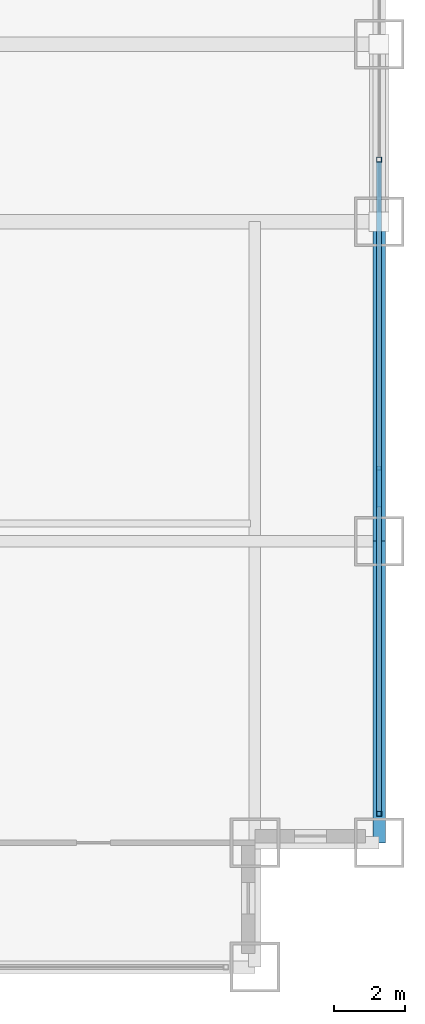
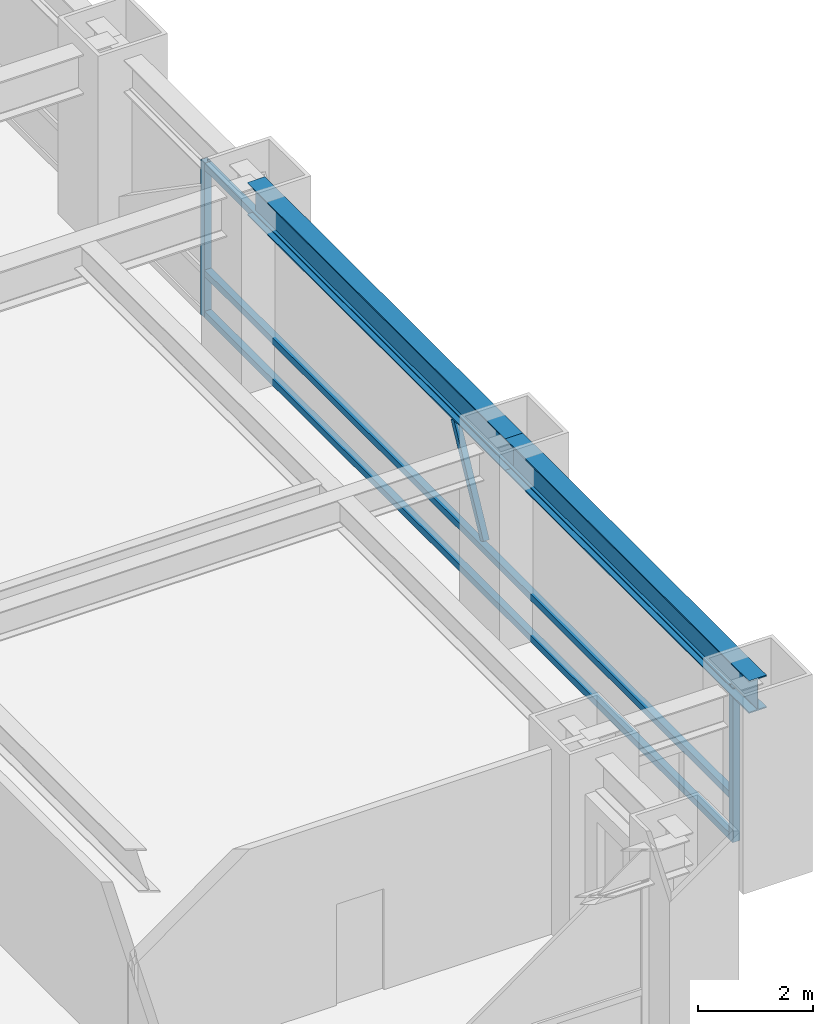
# One storey, part 16 of 27: 6 members, 2 beams, 1 element without a shape of its own.
"""IFC4 building model written with IfcOpenShell, lengths in metres."""

import ifcopenshell
import ifcopenshell.guid

model = None  # the IFC model being written
_history = None  # IfcOwnerHistory: only IFC2X3 demands one
_inside = {}  # id of a spatial element -> (the spatial element, [elements in it])
_under = {}  # id of a project, library or spatial element -> (it, [spatial elements below it])
_declared = {}  # id of a project -> (the project, [libraries it declares])
_typed = {}  # id of a type object -> (the type object, [elements of that type])
_made_of = {}  # id of a material, layer set ... -> (it, [elements and type objects made of it])


def new_model(schema):
    """Start an empty IFC model of exactly this schema.

    Asked for "IFC4X3", IfcOpenShell would pick the latest addendum, in which some entities
    have other attributes; the version numbers below select the first issue.
    IFC2X3 requires an IfcOwnerHistory on every rooted entity: one is made here for all.
    """
    global model, _history
    if schema == "IFC4X3":
        model = ifcopenshell.file(schema_version=(4, 3, 0, 0))
    else:
        model = ifcopenshell.file(schema=schema)
    _inside.clear()
    _under.clear()
    _declared.clear()
    _typed.clear()
    _made_of.clear()
    _history = None
    if model.schema == "IFC2X3":
        org = make("IfcOrganization", Name="unknown")
        user = make(
            "IfcPersonAndOrganization",
            ThePerson=make("IfcPerson", FamilyName="unknown"),
            TheOrganization=org,
        )
        app = make(
            "IfcApplication",
            ApplicationDeveloper=org,
            Version="unknown",
            ApplicationFullName="unknown",
            ApplicationIdentifier="unknown",
        )
        _history = make(
            "IfcOwnerHistory",
            OwningUser=user,
            OwningApplication=app,
            ChangeAction="ADDED",
            CreationDate=0,
        )
    return model


def make(cls, **values):
    """One entity of the class cls with the attributes given. An attribute that is None is left unset."""
    return model.create_entity(
        cls, **{name: value for name, value in values.items() if value is not None}
    )


def rooted(cls, **values):
    """An entity with a GlobalId (a new one), such as an element, a storey or a relation."""
    return make(cls, GlobalId=ifcopenshell.guid.new(), OwnerHistory=_history, **values)


def si_unit(unit_type, name, prefix=None):
    """IfcSIUnit, for example si_unit("LENGTHUNIT", "METRE", prefix="MILLI")."""
    return make("IfcSIUnit", UnitType=unit_type, Prefix=prefix, Name=name)


def assignment(units):
    """IfcUnitAssignment: the units of a project."""
    return None if units is None else make("IfcUnitAssignment", Units=units)


def point(xyz):
    """IfcCartesianPoint."""
    return None if xyz is None else make("IfcCartesianPoint", Coordinates=xyz)


def direction(xyz):
    """IfcDirection."""
    return None if xyz is None else make("IfcDirection", DirectionRatios=xyz)


def frame(location, z_axis=None, x_axis=None):
    """IfcAxis2Placement3D, a coordinate frame: its origin and axes. An axis left out is left unset."""
    return make(
        "IfcAxis2Placement3D",
        Location=point(location),
        Axis=direction(z_axis),
        RefDirection=direction(x_axis),
    )


def frame_2d(location, x_axis=None):
    """IfcAxis2Placement2D, a coordinate frame in the plane: its origin and x axis."""
    return make(
        "IfcAxis2Placement2D", Location=point(location), RefDirection=direction(x_axis)
    )


def origin():
    """The frame at (0, 0, 0) with its axes left unset."""
    return frame((0.0, 0.0, 0.0))


def origin_2d():
    """The frame at (0, 0) in the plane with its x axis left unset."""
    return frame_2d((0.0, 0.0))


def place(relative_to, where):
    """IfcLocalPlacement: puts the frame where relative to a parent placement (None: the world)."""
    return make(
        "IfcLocalPlacement", PlacementRelTo=relative_to, RelativePlacement=where
    )


def context(
    kind, dimensions, precision=None, world=None, true_north=None, identifier=None
):
    """IfcGeometricRepresentationContext, for example the 3D "Model" context."""
    return make(
        "IfcGeometricRepresentationContext",
        ContextIdentifier=identifier,
        ContextType=kind,
        CoordinateSpaceDimension=dimensions,
        Precision=precision,
        WorldCoordinateSystem=world,
        TrueNorth=true_north,
    )


def subcontext(parent, identifier, kind, view, scale=None):
    """IfcGeometricRepresentationSubContext, for example "Body" below "Model"."""
    return make(
        "IfcGeometricRepresentationSubContext",
        ContextIdentifier=identifier,
        ContextType=kind,
        ParentContext=parent,
        TargetScale=scale,
        TargetView=view,
    )


def project(units=None, contexts=None):
    """IfcProject with its units and contexts."""
    return rooted(
        "IfcProject",
        Name="project",
        RepresentationContexts=contexts,
        UnitsInContext=assignment(units),
    )


def spatial(cls, under=None, at=None, **own):
    """A site, building, storey or space (cls), placed at a placement, below another one or the project."""
    s = rooted(cls, ObjectPlacement=at, **own)
    if under is not None:
        _under.setdefault(under.id(), (under, []))[1].append(s)
    return s


def profile(cls, at=None, kind="AREA", **sizes):
    """A parametric profile (cls). Its sizes go by their IFC names, for example OverallWidth=200.0."""
    return make(cls, ProfileType=kind, Position=at, **sizes)


def hollow_rectangle(**sizes):
    """IfcRectangleHollowProfileDef."""
    return profile("IfcRectangleHollowProfileDef", **sizes)


def i_section(**sizes):
    """IfcIShapeProfileDef."""
    return profile("IfcIShapeProfileDef", **sizes)


def extrude(swept, where, along, depth):
    """IfcExtrudedAreaSolid: the profile swept, set in the frame where, extruded along a direction by depth."""
    return make(
        "IfcExtrudedAreaSolid",
        SweptArea=swept,
        Position=where,
        ExtrudedDirection=direction(along),
        Depth=depth,
    )


def shape(context_of_items, identifier, shape_type, items):
    """IfcShapeRepresentation: the items that make up one representation, for example the "Body"."""
    return make(
        "IfcShapeRepresentation",
        ContextOfItems=context_of_items,
        RepresentationIdentifier=identifier,
        RepresentationType=shape_type,
        Items=items,
    )


def source(mapping_origin, context_of_items, identifier, shape_type, items):
    """IfcRepresentationMap: a shape defined once, which mapped items show again and again."""
    return make(
        "IfcRepresentationMap",
        MappingOrigin=mapping_origin,
        MappedRepresentation=shape(context_of_items, identifier, shape_type, items),
    )


def transform(
    local_origin,
    x_axis=None,
    y_axis=None,
    z_axis=None,
    scale=None,
    scale2=None,
    scale3=None,
    uniform=True,
):
    """IfcCartesianTransformationOperator3D, or its non-uniform kind. x_axis, y_axis, z_axis: its Axis1, 2, 3."""
    if uniform:
        return make(
            "IfcCartesianTransformationOperator3D",
            Axis1=direction(x_axis),
            Axis2=direction(y_axis),
            LocalOrigin=point(local_origin),
            Scale=scale,
            Axis3=direction(z_axis),
        )
    return make(
        "IfcCartesianTransformationOperator3DnonUniform",
        Axis1=direction(x_axis),
        Axis2=direction(y_axis),
        LocalOrigin=point(local_origin),
        Scale=scale,
        Axis3=direction(z_axis),
        Scale2=scale2,
        Scale3=scale3,
    )


def mapped(mapping_source, mapping_target):
    """IfcMappedItem: shows the shape of a source again, moved by a transform."""
    return make(
        "IfcMappedItem", MappingSource=mapping_source, MappingTarget=mapping_target
    )


def material(Name=None, Category=None):
    """IfcMaterial."""
    return make("IfcMaterial", Name=Name, Category=Category)


def material_profile(
    of_material, cross_section, Name=None, Category=None, Priority=None
):
    """IfcMaterialProfile: a cross section and its material."""
    return make(
        "IfcMaterialProfile",
        Name=Name,
        Material=of_material,
        Profile=cross_section,
        Priority=Priority,
        Category=Category,
    )


def profile_set(profiles, Name=None, composite=None):
    """IfcMaterialProfileSet."""
    return make(
        "IfcMaterialProfileSet",
        Name=Name,
        MaterialProfiles=profiles,
        CompositeProfile=composite,
    )


def made_of(thing, what):
    """Note that an element or type object is made of a material, layer set ...; save() writes the relation."""
    if what is not None:
        _made_of.setdefault(what.id(), (what, []))[1].append(thing)
    return thing


def type_object(cls, material=None, **own):
    """A type object (cls), such as IfcWallType, which elements share."""
    return made_of(rooted(cls, **own), material)


def element(
    cls,
    number,
    at=None,
    inside=None,
    cuts=None,
    type_object=None,
    material=None,
    context=None,
    identifier="Body",
    shape_type=None,
    held_by="IfcProductDefinitionShape",
    body=None,
    shapes=None,
    **own,
):
    """One element of the class cls, such as IfcWall. Its Tag is "e" and its number.

    at: its placement. inside: the storey or other place that contains it. cuts: it is an
    opening in that element (IfcRelVoidsElement). A single representation is given by context,
    identifier, shape_type and body (its items); several are given by shapes. held_by: the class
    of the entity that holds the representations. save() writes the other relations.
    """
    e = rooted(cls, Tag="e%d" % number, ObjectPlacement=at, **own)
    if body is not None:
        shapes = [shape(context, identifier, shape_type, body)]
    if shapes is not None:
        e.Representation = make(held_by, Representations=shapes)
    if inside is not None:
        _inside.setdefault(inside.id(), (inside, []))[1].append(e)
    if cuts is not None:
        rooted(
            "IfcRelVoidsElement", RelatingBuildingElement=cuts, RelatedOpeningElement=e
        )
    if type_object is not None:
        _typed.setdefault(type_object.id(), (type_object, []))[1].append(e)
    return made_of(e, material)


def aggregate(whole, parts):
    """IfcRelAggregates: a whole, such as a stair, and the parts it consists of."""
    return rooted("IfcRelAggregates", RelatingObject=whole, RelatedObjects=parts)


def save(model, path):
    """Write the relations noted so far, then the file.

    IfcRelAggregates (storeys below a building ...), IfcRelContainedInSpatialStructure (elements
    in a storey), IfcRelDefinesByType, IfcRelAssociatesMaterial and IfcRelDeclares: one each for
    every whole, place, type object, material and project.
    """
    for whole, parts in _under.values():
        aggregate(whole, parts)
    for where, things in _inside.values():
        rooted(
            "IfcRelContainedInSpatialStructure",
            RelatedElements=things,
            RelatingStructure=where,
        )
    for kind, things in _typed.values():
        rooted("IfcRelDefinesByType", RelatedObjects=things, RelatingType=kind)
    for what, things in _made_of.values():
        rooted("IfcRelAssociatesMaterial", RelatedObjects=things, RelatingMaterial=what)
    for by, libraries in _declared.values():
        rooted("IfcRelDeclares", RelatingContext=by, RelatedDefinitions=libraries)
    model.write(path)


model = new_model("IFC4")

# Units and contexts
model_context = context("Model", 3, precision=1e-05, world=origin(), true_north=direction((0.0, 1.0)))
body_context = subcontext(model_context, "Body", "Model", "MODEL_VIEW")
ifc_project = project(units=[si_unit("LENGTHUNIT", "METRE"), si_unit("AREAUNIT", "SQUARE_METRE"), si_unit("VOLUMEUNIT", "CUBIC_METRE"), si_unit("PLANEANGLEUNIT", "RADIAN"), si_unit("MASSUNIT", "GRAM", prefix="KILO")], contexts=[model_context])

# Site, building, storey
site_placement = place(None, origin())
site = spatial("IfcSite", under=ifc_project, at=site_placement, CompositionType="ELEMENT")
building_placement = place(site_placement, origin())
building = spatial("IfcBuilding", under=site, at=building_placement, Name="Khorayat Bourse Tower", CompositionType="ELEMENT")
storey_placement = place(building_placement, frame((0.0, 0.0, 49.39990234375)))
storey = spatial("IfcBuildingStorey", under=building, at=storey_placement, Name="L10", CompositionType="ELEMENT", Elevation=49.39990234375)

# Beams
ifc_material_1 = material(Name="Steel ASTM A992 Grade 50", Category="steel")
ifc_material_profile_1 = material_profile(ifc_material_1, i_section(OverallWidth=0.35498046875, OverallDepth=0.695068359375, WebThickness=0.015380859375, FlangeThickness=0.02490234375, FilletRadius=0.01806640625, at=origin_2d()), Name="W690X217")
ifc_profile_set_1 = profile_set([ifc_material_profile_1], Name="Steel ASTM A992 Grade 50")
beam_type = type_object("IfcBeamType", Name="BM-SPAN-690", PredefinedType="SPANDREL", material=ifc_profile_set_1)
shared_shape_1 = source(origin(), body_context, "Body", "SweptSolid", [
    extrude(i_section(OverallWidth=0.35498046875, OverallDepth=0.695068359375, WebThickness=0.015380859375, FlangeThickness=0.02490234375, FilletRadius=0.01806640625, at=origin_2d()), origin(), (0.0, 0.0, 1.0), 8.5),
])
beam_1_placement = place(storey_placement, frame((32.0, -28.5, 3.592529296875), z_axis=(0.0, 1.0, 0.0), x_axis=(-1.0, 0.0, 0.0)))
element("IfcBeam", 1, at=beam_1_placement, inside=storey, type_object=beam_type, Name="L10 BM-SPAN-690 BM-L10-SPN-034", PredefinedType="SPANDREL", context=body_context, shape_type="MappedRepresentation", body=[
    mapped(shared_shape_1, transform((0.0, 0.0, 0.0), scale=1.0)),
])
shared_shape_2 = source(origin(), body_context, "Body", "SweptSolid", [
    extrude(i_section(OverallWidth=0.35498046875, OverallDepth=0.695068359375, WebThickness=0.015380859375, FlangeThickness=0.02490234375, FilletRadius=0.01806640625, at=origin_2d()), origin(), (0.0, 0.0, 1.0), 9.0),
])
beam_2_placement = place(storey_placement, frame((32.0, -20.0, 3.592529296875), z_axis=(0.0, 1.0, 0.0), x_axis=(-1.0, 0.0, 0.0)))
element("IfcBeam", 2, at=beam_2_placement, inside=storey, type_object=beam_type, Name="L10 BM-SPAN-690 BM-L10-SPN-035", PredefinedType="SPANDREL", context=body_context, shape_type="MappedRepresentation", body=[
    mapped(shared_shape_2, transform((0.0, 0.0, 0.0), scale=1.0)),
])

# Curtain wall, members
ifc_material_2 = material(Name="Aluminium EN AW-6063 T6", Category="aluminium")
curtain_wall_type = type_object("IfcCurtainWallType", Name="CW-SYS-02", PredefinedType="NOTDEFINED", material=ifc_material_2)
curtain_wall_placement = place(storey_placement, origin())
curtain_wall = element("IfcCurtainWall", 3, at=curtain_wall_placement, inside=storey, type_object=curtain_wall_type, Name="L10 Curtain Wall CW-L10-E1", PredefinedType="NOTDEFINED")
ifc_material_profile_2 = material_profile(ifc_material_2, hollow_rectangle(XDim=0.139892578125, YDim=0.139892578125, WallThickness=0.006103515625, at=origin_2d()), Name="ALU 140x140x6")
ifc_profile_set_2 = profile_set([ifc_material_profile_2], Name="Aluminium EN AW-6063 T6")
member_type_1 = type_object("IfcMemberType", Name="CWT-HORZ-140", PredefinedType="USERDEFINED", material=ifc_profile_set_2)
shared_shape_3 = source(origin(), body_context, "Body", "SweptSolid", [
    extrude(hollow_rectangle(XDim=0.139892578125, YDim=0.139892578125, WallThickness=0.006103515625, at=origin_2d()), origin(), (0.0, 0.0, 1.0), 18.2900390625),
])
member_1_placement = place(storey_placement, frame((32.0, -27.610107421875, 0.070068359375), z_axis=(0.0, 1.0, 0.0), x_axis=(-1.0, 0.0, 0.0)))
member_1 = element("IfcMember", 4, at=member_1_placement, type_object=member_type_1, Name="CW-L10-E1 Horizontal Transom 1-1", ObjectType="TRANSOM", PredefinedType="USERDEFINED", context=body_context, shape_type="MappedRepresentation", body=[
    mapped(shared_shape_3, transform((0.0, 0.0, 0.0), scale=1.0)),
])
member_2_placement = place(storey_placement, frame((32.0, -27.610107421875, 0.9501953125), z_axis=(0.0, 1.0, 0.0), x_axis=(-1.0, 0.0, 0.0)))
member_2 = element("IfcMember", 5, at=member_2_placement, type_object=member_type_1, Name="CW-L10-E1 Horizontal Transom 1-2", ObjectType="TRANSOM", PredefinedType="USERDEFINED", context=body_context, shape_type="MappedRepresentation", body=[
    mapped(shared_shape_3, transform((0.0, 0.0, 0.0), scale=1.0)),
])
member_3_placement = place(storey_placement, frame((32.0, -27.610107421875, 3.22021484375), z_axis=(0.0, 1.0, 0.0), x_axis=(-1.0, 0.0, 0.0)))
member_3 = element("IfcMember", 6, at=member_3_placement, type_object=member_type_1, Name="CW-L10-E1 Horizontal Transom 1-3", ObjectType="TRANSOM", PredefinedType="USERDEFINED", context=body_context, shape_type="MappedRepresentation", body=[
    mapped(shared_shape_3, transform((0.0, 0.0, 0.0), scale=1.0)),
])
ifc_material_profile_3 = material_profile(ifc_material_2, hollow_rectangle(XDim=0.1201171875, YDim=0.1201171875, WallThickness=0.0048828125, at=origin_2d()), Name="ALU 120x120x5")
ifc_profile_set_3 = profile_set([ifc_material_profile_3], Name="Aluminium EN AW-6063 T6")
member_type_2 = type_object("IfcMemberType", Name="CWM-DIAG-120", PredefinedType="MULLION", material=ifc_profile_set_3)
shared_shape_4 = source(origin(), body_context, "Body", "SweptSolid", [
    extrude(hollow_rectangle(XDim=0.1201171875, YDim=0.1201171875, WallThickness=0.0048828125, at=origin_2d()), origin(), (0.0, 0.0, 1.0), 2.22607421875),
])
member_4_placement = place(storey_placement, frame((32.0, -18.9833984375, 1.10009765625), z_axis=(0.0, 0.465759992596, 0.884911085532), x_axis=(-1.0, 0.0, 0.0)))
member_4 = element("IfcMember", 7, at=member_4_placement, type_object=member_type_2, Name="CW-L10-E1 Faceted Diagonal Mullion 1", PredefinedType="MULLION", context=body_context, shape_type="MappedRepresentation", body=[
    mapped(shared_shape_4, transform((0.0, 0.0, 0.0), scale=1.0)),
])
ifc_material_profile_4 = material_profile(ifc_material_2, hollow_rectangle(XDim=0.139892578125, YDim=0.139892578125, WallThickness=0.006103515625, at=origin_2d()), Name="ALU 140x140x6")
ifc_profile_set_4 = profile_set([ifc_material_profile_4], Name="Aluminium EN AW-6063 T6")
member_type_3 = type_object("IfcMemberType", Name="CWM-VERT-140", PredefinedType="MULLION", material=ifc_profile_set_4)
shared_shape_5 = source(origin(), body_context, "Body", "SweptSolid", [
    extrude(hollow_rectangle(XDim=0.139892578125, YDim=0.139892578125, WallThickness=0.006103515625, at=origin_2d()), origin(), (0.0, 0.0, 1.0), 3.2900390625),
])
member_5_placement = place(storey_placement, frame((32.0, -27.679931640625, 0.0), z_axis=(0.0, 0.0, 1.0), x_axis=(-1.0, 0.0, 0.0)))
member_5 = element("IfcMember", 8, at=member_5_placement, type_object=member_type_3, Name="CW-L10-E1 Vertical Mullion 1", PredefinedType="MULLION", context=body_context, shape_type="MappedRepresentation", body=[
    mapped(shared_shape_5, transform((0.0, 0.0, 0.0), scale=1.0)),
])
member_6_placement = place(storey_placement, frame((32.0, -9.25, 0.0), z_axis=(0.0, 0.0, 1.0), x_axis=(-1.0, 0.0, 0.0)))
member_6 = element("IfcMember", 9, at=member_6_placement, type_object=member_type_3, Name="CW-L10-E1 Vertical Mullion 2", PredefinedType="MULLION", context=body_context, shape_type="MappedRepresentation", body=[
    mapped(shared_shape_5, transform((0.0, 0.0, 0.0), scale=1.0)),
])
aggregate(curtain_wall, [member_5, member_6, member_1, member_2, member_3, member_4])

save(model, "model.ifc")
